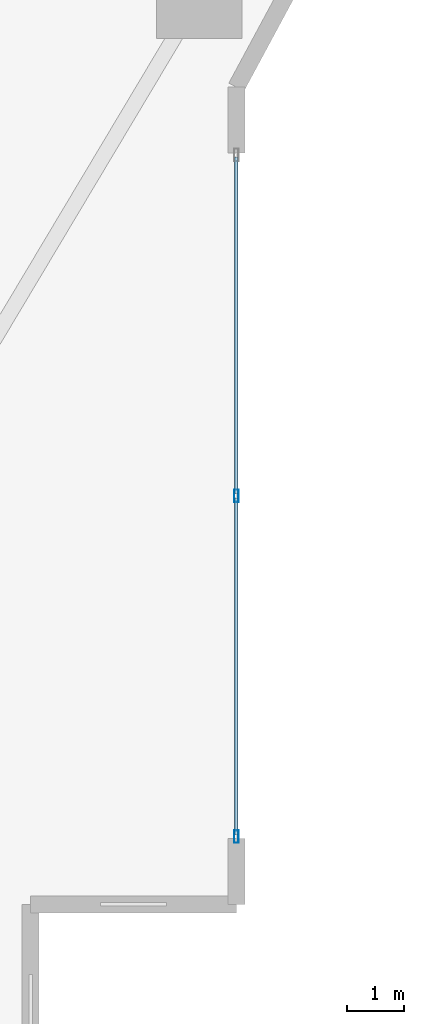
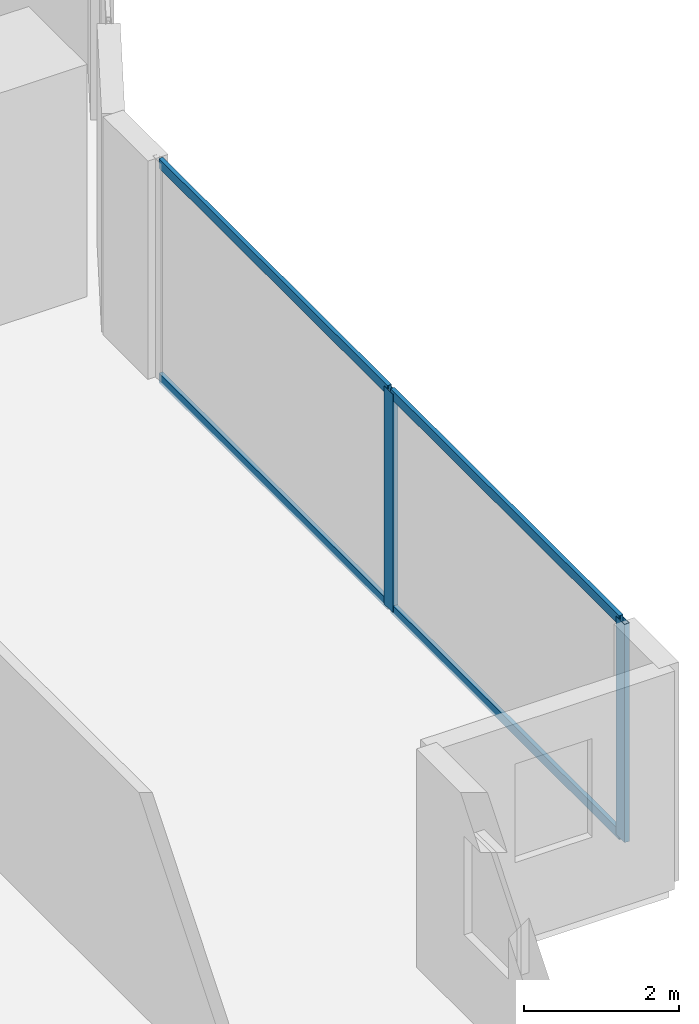
# One storey, part 10 of 28: 6 members, 1 element without a shape of its own.
"""IFC4 building model written with IfcOpenShell, lengths in metres."""

from ifc_helpers import new_model, si_unit, direction, frame, origin, origin_2d, place, context, subcontext, project, spatial, hollow_rectangle, extrude, material, layer, layer_set, material_profile, profile_set, type_object, element, aggregate, save


model = new_model("IFC4")

# Units and contexts
model_context = context("Model", 3, precision=1e-05, world=origin(), true_north=direction((0.0, 1.0)))
body_context = subcontext(model_context, "Body", "Model", "MODEL_VIEW")
ifc_project = project(units=[si_unit("LENGTHUNIT", "METRE"), si_unit("AREAUNIT", "SQUARE_METRE"), si_unit("VOLUMEUNIT", "CUBIC_METRE"), si_unit("PLANEANGLEUNIT", "RADIAN"), si_unit("MASSUNIT", "GRAM", prefix="KILO")], contexts=[model_context])

# Site, building, storey
site_placement = place(None, origin())
site = spatial("IfcSite", under=ifc_project, at=site_placement, CompositionType="ELEMENT")
building_placement = place(site_placement, origin())
building = spatial("IfcBuilding", under=site, at=building_placement, Name="Zuhayl Quay Hotel", CompositionType="ELEMENT")
storey_placement = place(building_placement, frame((0.0, 0.0, 75.050048828125)))
storey = spatial("IfcBuildingStorey", under=building, at=storey_placement, Name="L18", CompositionType="ELEMENT", Elevation=75.050048828125)

# Curtain wall, members
ifc_material_1 = material(Name="Anodised Aluminium 6063-T6", Category="aluminium")
ifc_layer = layer(ifc_material_1, 0.18994140625, Name="Anodised Aluminium 6063-T6", Category="aluminium")
ifc_layer_set = layer_set([ifc_layer], Name="Anodised Aluminium 6063-T6")
curtain_wall_type = type_object("IfcCurtainWallType", Name="CW_SYS_Z1", PredefinedType="USERDEFINED", material=ifc_layer_set)
curtain_wall_placement = place(storey_placement, origin())
curtain_wall = element("IfcCurtainWall", 1, at=curtain_wall_placement, inside=storey, type_object=curtain_wall_type, Name="L18 Curtain Wall ENV_L18_E14_CW1", ObjectType="UNITISED CURTAIN WALL", PredefinedType="USERDEFINED")
ifc_material_2 = material(Name="Black-anodised aluminium 6063-T6", Category="aluminium")
ifc_material_profile_1 = material_profile(ifc_material_2, hollow_rectangle(XDim=0.074951171875, YDim=0.219970703125, WallThickness=0.00390625, at=origin_2d()), Name="ALU220X75")
ifc_profile_set_1 = profile_set([ifc_material_profile_1], Name="Black-anodised aluminium 6063-T6")
member_type_1 = type_object("IfcMemberType", Name="MB_CW_MUL_220", PredefinedType="MULLION", material=ifc_profile_set_1)
member_1_placement = place(storey_placement, frame((25.699951171875, -12.35009765625, 0.0), z_axis=(0.0, 0.0, 1.0), x_axis=(1.0, 0.0, 0.0)))
member_1 = element("IfcMember", 2, at=member_1_placement, type_object=member_type_1, Name="CW-Z1 mullion 2", PredefinedType="MULLION", context=body_context, shape_type="SweptSolid", body=[
    extrude(hollow_rectangle(XDim=0.074951171875, YDim=0.219970703125, WallThickness=0.00390625, at=origin_2d()), origin(), (0.0, 0.0, 1.0), 3.429931640625),
])
member_2_placement = place(storey_placement, frame((25.699951171875, -18.3125, 0.0), z_axis=(0.0, 0.0, 1.0), x_axis=(1.0, 0.0, 0.0)))
member_2 = element("IfcMember", 3, at=member_2_placement, type_object=member_type_1, Name="CW-Z1 mullion 3", PredefinedType="MULLION", context=body_context, shape_type="SweptSolid", body=[
    extrude(hollow_rectangle(XDim=0.074951171875, YDim=0.219970703125, WallThickness=0.00390625, at=origin_2d()), origin(), (0.0, 0.0, 1.0), 3.429931640625),
])
ifc_material_profile_2 = material_profile(ifc_material_2, hollow_rectangle(XDim=0.06005859375, YDim=0.14990234375, WallThickness=0.00341796875, at=origin_2d()), Name="ALU150X60")
ifc_profile_set_2 = profile_set([ifc_material_profile_2], Name="Black-anodised aluminium 6063-T6")
member_type_2 = type_object("IfcMemberType", Name="MB_CW_TRN_150", PredefinedType="USERDEFINED", material=ifc_profile_set_2)
member_3_placement = place(storey_placement, frame((25.699951171875, -6.425048828125, 0.030029296875), z_axis=(0.0, -1.0, 0.0), x_axis=(1.0, 0.0, 0.0)))
member_3 = element("IfcMember", 4, at=member_3_placement, type_object=member_type_2, Name="CW-Z1 transom 1.1", ObjectType="TRANSOM", PredefinedType="USERDEFINED", context=body_context, shape_type="SweptSolid", body=[
    extrude(hollow_rectangle(XDim=0.06005859375, YDim=0.14990234375, WallThickness=0.00341796875, at=origin_2d()), origin(), (0.0, 0.0, 1.0), 5.887451171875),
])
member_4_placement = place(storey_placement, frame((25.699951171875, -6.425048828125, 3.39990234375), z_axis=(0.0, -1.0, 0.0), x_axis=(1.0, 0.0, 0.0)))
member_4 = element("IfcMember", 5, at=member_4_placement, type_object=member_type_2, Name="CW-Z1 transom 1.2", ObjectType="TRANSOM", PredefinedType="USERDEFINED", context=body_context, shape_type="SweptSolid", body=[
    extrude(hollow_rectangle(XDim=0.06005859375, YDim=0.14990234375, WallThickness=0.00341796875, at=origin_2d()), origin(), (0.0, 0.0, 1.0), 5.887451171875),
])
member_5_placement = place(storey_placement, frame((25.699951171875, -12.387451171875, 0.030029296875), z_axis=(0.0, -1.0, 0.0), x_axis=(1.0, 0.0, 0.0)))
member_5 = element("IfcMember", 6, at=member_5_placement, type_object=member_type_2, Name="CW-Z1 transom 2.1", ObjectType="TRANSOM", PredefinedType="USERDEFINED", context=body_context, shape_type="SweptSolid", body=[
    extrude(hollow_rectangle(XDim=0.06005859375, YDim=0.14990234375, WallThickness=0.00341796875, at=origin_2d()), origin(), (0.0, 0.0, 1.0), 5.887451171875),
])
member_6_placement = place(storey_placement, frame((25.699951171875, -12.387451171875, 3.39990234375), z_axis=(0.0, -1.0, 0.0), x_axis=(1.0, 0.0, 0.0)))
member_6 = element("IfcMember", 7, at=member_6_placement, type_object=member_type_2, Name="CW-Z1 transom 2.2", ObjectType="TRANSOM", PredefinedType="USERDEFINED", context=body_context, shape_type="SweptSolid", body=[
    extrude(hollow_rectangle(XDim=0.06005859375, YDim=0.14990234375, WallThickness=0.00341796875, at=origin_2d()), origin(), (0.0, 0.0, 1.0), 5.887451171875),
])
aggregate(curtain_wall, [member_1, member_2, member_3, member_4, member_5, member_6])

save(model, "model.ifc")
